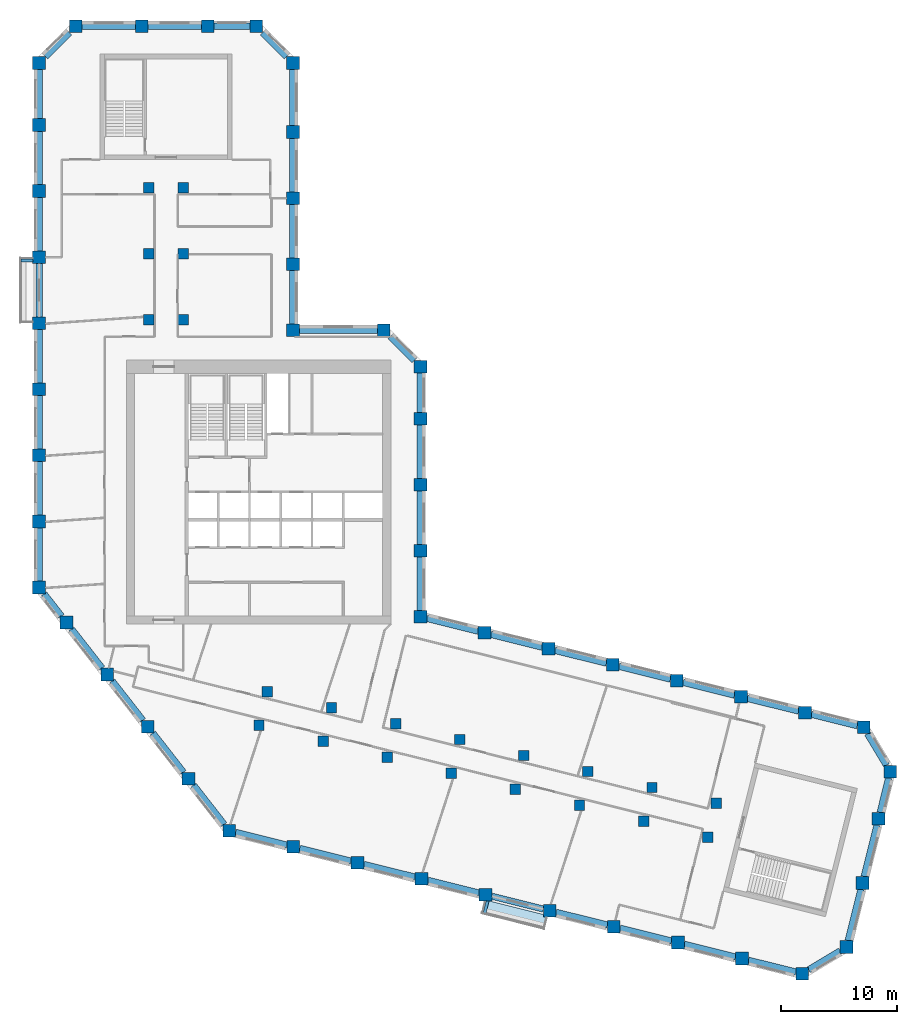
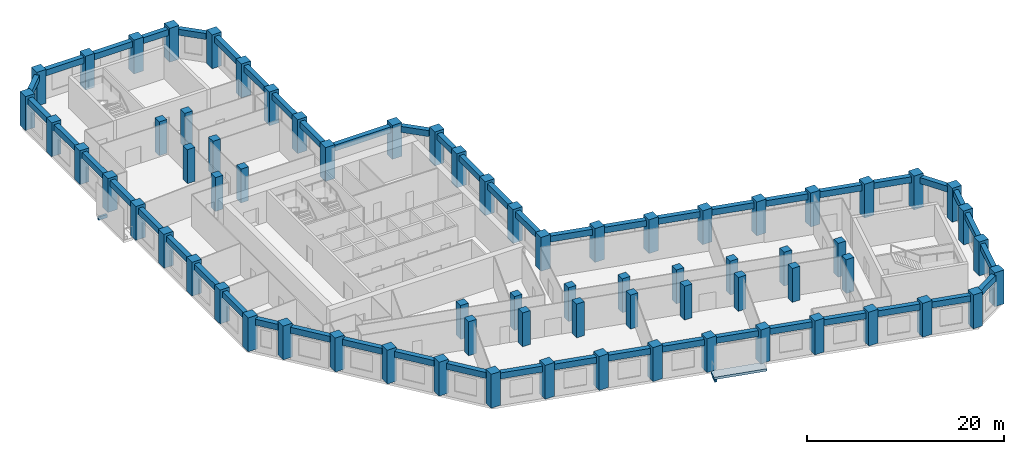
# One storey, part 1 of 10: 71 columns, 51 beams, 1 slab.
"""IFC4 building model written with IfcOpenShell, lengths in metres."""

from ifc_helpers import new_model, si_unit, direction, frame, origin, origin_2d, place, context, subcontext, project, spatial, polyline, rectangle, outline, extrude, material, layer, layer_set, material_profile, profile_set, type_object, element, save


model = new_model("IFC4")

# Units and contexts
model_context = context("Model", 3, precision=1e-05, world=origin(), true_north=direction((0.0, 1.0)))
body_context = subcontext(model_context, "Body", "Model", "MODEL_VIEW")
ifc_project = project(units=[si_unit("LENGTHUNIT", "METRE"), si_unit("AREAUNIT", "SQUARE_METRE"), si_unit("VOLUMEUNIT", "CUBIC_METRE"), si_unit("PLANEANGLEUNIT", "RADIAN"), si_unit("MASSUNIT", "GRAM", prefix="KILO")], contexts=[model_context])

# Site, building, storey
site_placement = place(None, origin())
site = spatial("IfcSite", under=ifc_project, at=site_placement, CompositionType="ELEMENT")
building_placement = place(site_placement, origin())
building = spatial("IfcBuilding", under=site, at=building_placement, Name="Meshkara Civic Tower", CompositionType="ELEMENT")
storey_placement = place(building_placement, frame((0.0, 0.0, 246.60009765625)))
storey = spatial("IfcBuildingStorey", under=building, at=storey_placement, Name="L56", CompositionType="ELEMENT", Elevation=246.60009765625)

# Columns
ifc_material_1 = material(Name="Concrete C60", Category="concrete")
ifc_material_profile_1 = material_profile(ifc_material_1, rectangle(XDim=0.89990234375, YDim=0.89990234375, at=origin_2d()))
ifc_profile_set_1 = profile_set([ifc_material_profile_1], Name="Concrete C60")
column_type_1 = type_object("IfcColumnType", Name="Interior column RC 900x900 C60", PredefinedType="COLUMN", material=ifc_profile_set_1)
for number, where, z_axis, x_axis, name in (
    (1, (9.89990234375, 40.35009765625, 0.0), (0.0, 0.0, 1.0), (1.0, 0.0, 0.0), "Column SA1-04 L56"),
    (2, (9.89990234375, 46.050048828125, 0.0), (0.0, 0.0, 1.0), (1.0, 0.0, 0.0), "Column SA1-05 L56"),
    (3, (9.89990234375, 51.75, 0.0), (0.0, 0.0, 1.0), (1.0, 0.0, 0.0), "Column SA1-06 L56"),
    (4, (12.89990234375, 40.35009765625, 0.0), (0.0, 0.0, 1.0), (1.0, 0.0, 0.0), "Column SA2-04 L56"),
    (5, (12.89990234375, 46.050048828125, 0.0), (0.0, 0.0, 1.0), (1.0, 0.0, 0.0), "Column SA2-05 L56"),
    (6, (12.89990234375, 51.75, 0.0), (0.0, 0.0, 1.0), (1.0, 0.0, 0.0), "Column SA2-06 L56"),
    (7, (19.424072265625, 5.360107421875, 0.0), (0.0, 0.0, 1.0), (1.0, 0.0, 0.0), "Column SB1-00 L56"),
    (8, (24.9541015625, 3.98095703125, 0.0), (0.0, 0.0, 1.0), (1.0, 0.0, 0.0), "Column SB1-01 L56"),
    (9, (30.485107421875, 2.60205078125, 0.0), (0.0, 0.0, 1.0), (1.0, 0.0, 0.0), "Column SB1-02 L56"),
    (10, (36.01611328125, 1.222900390625, 0.0), (0.0, 0.0, 1.0), (1.0, 0.0, 0.0), "Column SB1-03 L56"),
    (11, (41.5458984375, -0.156005859375, 0.0), (0.0, 0.0, 1.0), (1.0, 0.0, 0.0), "Column SB1-04 L56"),
    (12, (47.076904296875, -1.534912109375, 0.0), (0.0, 0.0, 1.0), (1.0, 0.0, 0.0), "Column SB1-05 L56"),
    (13, (52.60791015625, -2.9140625, 0.0), (0.0, 0.0, 1.0), (1.0, 0.0, 0.0), "Column SB1-06 L56"),
    (14, (58.138916015625, -4.2919921875, 0.0), (0.0, 0.0, 1.0), (1.0, 0.0, 0.0), "Column SB1-07 L56"),
    (15, (20.14892578125, 8.27099609375, 0.0), (0.0, 0.0, 1.0), (1.0, 0.0, 0.0), "Column SB2-00 L56"),
    (16, (25.679931640625, 6.89208984375, 0.0), (0.0, 0.0, 1.0), (1.0, 0.0, 0.0), "Column SB2-01 L56"),
    (17, (31.2109375, 5.512939453125, 0.0), (0.0, 0.0, 1.0), (1.0, 0.0, 0.0), "Column SB2-02 L56"),
    (18, (36.741943359375, 4.134033203125, 0.0), (0.0, 0.0, 1.0), (1.0, 0.0, 0.0), "Column SB2-03 L56"),
    (19, (42.27197265625, 2.7548828125, 0.0), (0.0, 0.0, 1.0), (1.0, 0.0, 0.0), "Column SB2-04 L56"),
    (20, (47.802978515625, 1.3759765625, 0.0), (0.0, 0.0, 1.0), (1.0, 0.0, 0.0), "Column SB2-05 L56"),
    (21, (53.333984375, -0.0029296875, 0.0), (0.0, 0.0, 1.0), (1.0, 0.0, 0.0), "Column SB2-06 L56"),
    (22, (58.864013671875, -1.382080078125, 0.0), (0.0, 0.0, 1.0), (1.0, 0.0, 0.0), "Column SB2-07 L56"),
):
    element("IfcColumn", number, at=place(storey_placement, frame(where, z_axis=z_axis, x_axis=x_axis)), inside=storey, type_object=column_type_1, Name=name, PredefinedType="COLUMN", context=body_context, shape_type="SweptSolid", body=[
        extrude(rectangle(XDim=0.89990234375, YDim=0.89990234375, at=origin_2d()), origin(), (0.0, 0.0, 1.0), 4.199951171875),
    ])
ifc_material_2 = material(Name="Concrete C60", Category="concrete")
ifc_material_profile_2 = material_profile(ifc_material_2, rectangle(XDim=1.10009765625, YDim=1.10009765625, at=origin_2d()))
ifc_profile_set_2 = profile_set([ifc_material_profile_2], Name="Concrete C60")
column_type_2 = type_object("IfcColumnType", Name="Perimeter column RC 1100x1100 C60", PredefinedType="COLUMN", material=ifc_profile_set_2)
for number, where, z_axis, x_axis, name in (
    (23, (33.35009765625, 14.718994140625, 0.0), (0.0, 0.0, 1.0), (1.0, 0.0, 0.0), "Column HE00 L56"),
    (24, (33.35009765625, 20.4189453125, 0.0), (0.0, 0.0, 1.0), (1.0, 0.0, 0.0), "Column HE01 L56"),
    (25, (33.35009765625, 26.118896484375, 0.0), (0.0, 0.0, 1.0), (1.0, 0.0, 0.0), "Column HE02 L56"),
    (26, (33.35009765625, 31.819091796875, 0.0), (0.0, 0.0, 1.0), (1.0, 0.0, 0.0), "Column HE03 L56"),
    (27, (33.35009765625, 36.2939453125, 0.0), (0.0, 0.0, 1.0), (1.0, 0.0, 0.0), "Column HEE L56"),
    (28, (30.194091796875, 39.449951171875, 0.0), (0.0, 0.0, 1.0), (1.0, 0.0, 0.0), "Column HCeE L56"),
    (29, (22.35009765625, 39.449951171875, 0.0), (0.0, 0.0, 1.0), (1.0, 0.0, 0.0), "Column HN00 L56"),
    (30, (22.35009765625, 45.14990234375, 0.0), (0.0, 0.0, 1.0), (1.0, 0.0, 0.0), "Column AE01 L56"),
    (31, (22.35009765625, 50.85009765625, 0.0), (0.0, 0.0, 1.0), (1.0, 0.0, 0.0), "Column AE02 L56"),
    (32, (22.35009765625, 56.550048828125, 0.0), (0.0, 0.0, 1.0), (1.0, 0.0, 0.0), "Column AE03 L56"),
    (33, (22.35009765625, 62.513916015625, 0.0), (0.0, 0.0, 1.0), (1.0, 0.0, 0.0), "Column AEEP3 L56"),
    (34, (19.194091796875, 65.669921875, 0.0), (0.0, 0.0, 1.0), (1.0, 0.0, 0.0), "Column ATiEP3 L56"),
    (35, (3.60595703125, 65.669921875, 0.0), (0.0, 0.0, 1.0), (1.0, 0.0, 0.0), "Column AT00-P3 L56"),
    (36, (9.305908203125, 65.669921875, 0.0), (0.0, 0.0, 1.0), (1.0, 0.0, 0.0), "Column AT01-P3 L56"),
    (37, (15.006103515625, 65.669921875, 0.0), (0.0, 0.0, 1.0), (1.0, 0.0, 0.0), "Column AT02-P3 L56"),
    (38, (0.449951171875, 62.513916015625, 0.0), (0.0, 0.0, 1.0), (1.0, 0.0, 0.0), "Column ATo00-P3 L56"),
    (39, (0.449951171875, 17.2548828125, 0.0), (0.0, 0.0, 1.0), (1.0, 0.0, 0.0), "Column AW00 L56"),
    (40, (0.449951171875, 22.955078125, 0.0), (0.0, 0.0, 1.0), (1.0, 0.0, 0.0), "Column AW01 L56"),
    (41, (0.449951171875, 28.655029296875, 0.0), (0.0, 0.0, 1.0), (1.0, 0.0, 0.0), "Column AW02 L56"),
    (42, (0.449951171875, 34.35498046875, 0.0), (0.0, 0.0, 1.0), (1.0, 0.0, 0.0), "Column AW03 L56"),
    (43, (0.449951171875, 40.054931640625, 0.0), (0.0, 0.0, 1.0), (1.0, 0.0, 0.0), "Column AW04 L56"),
    (44, (0.449951171875, 45.7548828125, 0.0), (0.0, 0.0, 1.0), (1.0, 0.0, 0.0), "Column AW05 L56"),
    (45, (0.449951171875, 51.455078125, 0.0), (0.0, 0.0, 1.0), (1.0, 0.0, 0.0), "Column AW06 L56"),
    (46, (0.449951171875, 57.155029296875, 0.0), (0.0, 0.0, 1.0), (1.0, 0.0, 0.0), "Column AW07 L56"),
    (47, (16.85107421875, -3.738037109375, 0.0), (0.0, 0.0, 1.0), (1.0, 0.0, 0.0), "Column BOW00 L56"),
    (48, (13.342041015625, 0.75390625, 0.0), (0.0, 0.0, 1.0), (1.0, 0.0, 0.0), "Column BOW01 L56"),
    (49, (9.8330078125, 5.2451171875, 0.0), (0.0, 0.0, 1.0), (1.0, 0.0, 0.0), "Column BOW02 L56"),
    (50, (6.322998046875, 9.737060546875, 0.0), (0.0, 0.0, 1.0), (1.0, 0.0, 0.0), "Column BOW03 L56"),
    (51, (2.81396484375, 14.22900390625, 0.0), (0.0, 0.0, 1.0), (1.0, 0.0, 0.0), "Column BOW04 L56"),
    (52, (22.382080078125, -5.116943359375, 0.0), (0.0, 0.0, 1.0), (1.0, 0.0, 0.0), "Column BS01 L56"),
    (53, (27.912109375, -6.49609375, 0.0), (0.0, 0.0, 1.0), (1.0, 0.0, 0.0), "Column BS02 L56"),
    (54, (33.443115234375, -7.875, 0.0), (0.0, 0.0, 1.0), (1.0, 0.0, 0.0), "Column BS03 L56"),
    (55, (38.97412109375, -9.2529296875, 0.0), (0.0, 0.0, 1.0), (1.0, 0.0, 0.0), "Column BS04-P1 L56"),
    (56, (44.5048828125, -10.632080078125, 0.0), (0.0, 0.0, 1.0), (1.0, 0.0, 0.0), "Column BS05 L56"),
    (57, (50.034912109375, -12.010986328125, 0.0), (0.0, 0.0, 1.0), (1.0, 0.0, 0.0), "Column BS06 L56"),
    (58, (55.56591796875, -13.389892578125, 0.0), (0.0, 0.0, 1.0), (1.0, 0.0, 0.0), "Column BS07 L56"),
    (59, (61.096923828125, -14.76904296875, 0.0), (0.0, 0.0, 1.0), (1.0, 0.0, 0.0), "Column BS08 L56"),
    (60, (66.2958984375, -16.06494140625, 0.0), (0.0, 0.0, 1.0), (1.0, 0.0, 0.0), "Column BSEP3 L56"),
    (61, (70.1220703125, -13.76611328125, 0.0), (0.0, 0.0, 1.0), (1.0, 0.0, 0.0), "Column BToEP3 L56"),
    (62, (71.5009765625, -8.235107421875, 0.0), (0.0, 0.0, 1.0), (1.0, 0.0, 0.0), "Column BT01-P3 L56"),
    (63, (72.8798828125, -2.705078125, 0.0), (0.0, 0.0, 1.0), (1.0, 0.0, 0.0), "Column BT02-P3 L56"),
    (64, (73.89306640625, 1.35791015625, 0.0), (0.0, 0.0, 1.0), (1.0, 0.0, 0.0), "Column BTEP3 L56"),
    (65, (71.593994140625, 5.18310546875, 0.0), (0.0, 0.0, 1.0), (1.0, 0.0, 0.0), "Column BTi00-P3 L56"),
    (66, (38.881103515625, 13.340087890625, 0.0), (0.0, 0.0, 1.0), (1.0, 0.0, 0.0), "Column BN01 L56"),
    (67, (44.410888671875, 11.9609375, 0.0), (0.0, 0.0, 1.0), (1.0, 0.0, 0.0), "Column BN02 L56"),
    (68, (49.94189453125, 10.58203125, 0.0), (0.0, 0.0, 1.0), (1.0, 0.0, 0.0), "Column BN03 L56"),
    (69, (55.472900390625, 9.202880859375, 0.0), (0.0, 0.0, 1.0), (1.0, 0.0, 0.0), "Column BN04 L56"),
    (70, (61.0029296875, 7.823974609375, 0.0), (0.0, 0.0, 1.0), (1.0, 0.0, 0.0), "Column BN05 L56"),
    (71, (66.533935546875, 6.445068359375, 0.0), (0.0, 0.0, 1.0), (1.0, 0.0, 0.0), "Column BN06 L56"),
):
    element("IfcColumn", number, at=place(storey_placement, frame(where, z_axis=z_axis, x_axis=x_axis)), inside=storey, type_object=column_type_2, Name=name, PredefinedType="COLUMN", context=body_context, shape_type="SweptSolid", body=[
        extrude(rectangle(XDim=1.10009765625, YDim=1.10009765625, at=origin_2d()), origin(), (0.0, 0.0, 1.0), 4.199951171875),
    ])

# Beams
ifc_material_3 = material(Name="Concrete C50", Category="concrete")
ifc_material_profile_3 = material_profile(ifc_material_3, rectangle(XDim=0.25, YDim=0.39990234375, at=origin_2d()))
ifc_profile_set_3 = profile_set([ifc_material_profile_3], Name="Concrete C50")
beam_type_1 = type_object("IfcBeamType", Name="Balcony bracket beam RC 250x400 C50", PredefinedType="BEAM", material=ifc_profile_set_3)
beam_1_placement = place(storey_placement, frame((-0.094970703125, 45.455078125, -0.5), z_axis=(-1.0, 0.0, 0.0), x_axis=(0.0, -1.0, 0.0)))
element("IfcBeam", 72, at=beam_1_placement, inside=storey, type_object=beam_type_1, Name="Balcony bracket beam", PredefinedType="BEAM", context=body_context, shape_type="SweptSolid", body=[
    extrude(rectangle(XDim=0.25, YDim=0.39990234375, at=origin_2d()), origin(), (0.0, 0.0, 1.0), 1.005126953125),
])
beam_2_placement = place(storey_placement, frame((39.14697265625, -9.798095703125, -0.5), z_axis=(-0.241725333206, -0.970344713639, 0.0), x_axis=(0.970344713639, -0.241725333206, 0.0)))
element("IfcBeam", 73, at=beam_2_placement, inside=storey, type_object=beam_type_1, Name="Balcony bracket beam", PredefinedType="BEAM", context=body_context, shape_type="SweptSolid", body=[
    extrude(rectangle(XDim=0.25, YDim=0.39990234375, at=origin_2d()), origin(), (0.0, 0.0, 1.0), 1.0634765625),
])
ifc_material_4 = material(Name="Concrete C60", Category="concrete")
ifc_material_profile_4 = material_profile(ifc_material_4, rectangle(XDim=0.550048828125, YDim=0.75, at=origin_2d()))
ifc_profile_set_4 = profile_set([ifc_material_profile_4], Name="Concrete C60")
beam_type_2 = type_object("IfcBeamType", Name="Spandrel beam RC 550x750 C60", PredefinedType="BEAM", material=ifc_profile_set_4)
beam_3_placement = place(storey_placement, frame((65.989013671875, 6.580810546875, 3.52490234375), z_axis=(-0.970299186733, 0.241908016044, 0.0), x_axis=(-0.241908016044, -0.970299186733, 0.0)))
element("IfcBeam", 74, at=beam_3_placement, inside=storey, type_object=beam_type_2, Name="Spandrel beam BN05-BN06", PredefinedType="BEAM", context=body_context, shape_type="SweptSolid", body=[
    extrude(rectangle(XDim=0.550048828125, YDim=0.75, at=origin_2d()), origin(), (0.0, 0.0, 1.0), 4.576904296875),
])
beam_4_placement = place(storey_placement, frame((60.4580078125, 7.9599609375, 3.52490234375), z_axis=(-0.970286696562, 0.241958108925, 0.0), x_axis=(-0.241958108925, -0.970286696562, 0.0)))
element("IfcBeam", 75, at=beam_4_placement, inside=storey, type_object=beam_type_2, Name="Spandrel beam BN04-BN05", PredefinedType="BEAM", context=body_context, shape_type="SweptSolid", body=[
    extrude(rectangle(XDim=0.550048828125, YDim=0.75, at=origin_2d()), origin(), (0.0, 0.0, 1.0), 4.575927734375),
])
for number, where, z_axis, x_axis, name in (
    (76, (54.927978515625, 9.3388671875, 3.52490234375), (-0.970299186733, 0.241908016044, 0.0), (-0.241908016044, -0.970299186733, 0.0), "Spandrel beam BN03-BN04"),
    (77, (49.39697265625, 10.718017578125, 3.52490234375), (-0.970299186733, 0.241908016044, 0.0), (-0.241908016044, -0.970299186733, 0.0), "Spandrel beam BN02-BN03"),
):
    element("IfcBeam", number, at=place(storey_placement, frame(where, z_axis=z_axis, x_axis=x_axis)), inside=storey, type_object=beam_type_2, Name=name, PredefinedType="BEAM", context=body_context, shape_type="SweptSolid", body=[
        extrude(rectangle(XDim=0.550048828125, YDim=0.75, at=origin_2d()), origin(), (0.0, 0.0, 1.0), 4.576904296875),
    ])
beam_5_placement = place(storey_placement, frame((43.865966796875, 12.096923828125, 3.52490234375), z_axis=(-0.970286696562, 0.241958108925, 0.0), x_axis=(-0.241958108925, -0.970286696562, 0.0)))
element("IfcBeam", 78, at=beam_5_placement, inside=storey, type_object=beam_type_2, Name="Spandrel beam BN01-BN02", PredefinedType="BEAM", context=body_context, shape_type="SweptSolid", body=[
    extrude(rectangle(XDim=0.550048828125, YDim=0.75, at=origin_2d()), origin(), (0.0, 0.0, 1.0), 4.575927734375),
])
beam_6_placement = place(storey_placement, frame((38.3359375, 13.475830078125, 3.52490234375), z_axis=(-0.970299186733, 0.241908016044, 0.0), x_axis=(-0.241908016044, -0.970299186733, 0.0)))
element("IfcBeam", 79, at=beam_6_placement, inside=storey, type_object=beam_type_2, Name="Spandrel beam BN01-HE00", PredefinedType="BEAM", context=body_context, shape_type="SweptSolid", body=[
    extrude(rectangle(XDim=0.550048828125, YDim=0.75, at=origin_2d()), origin(), (0.0, 0.0, 1.0), 4.576904296875),
])
beam_7_placement = place(storey_placement, frame((33.35009765625, 15.263916015625, 3.52490234375), z_axis=(0.0, 1.0, 0.0), x_axis=(-1.0, 0.0, 0.0)))
element("IfcBeam", 80, at=beam_7_placement, inside=storey, type_object=beam_type_2, Name="Spandrel beam HE00-HE01", PredefinedType="BEAM", context=body_context, shape_type="SweptSolid", body=[
    extrude(rectangle(XDim=0.550048828125, YDim=0.75, at=origin_2d()), origin(), (0.0, 0.0, 1.0), 4.610107421875),
])
for number, where, z_axis, x_axis, name in (
    (81, (33.35009765625, 20.964111328125, 3.52490234375), (0.0, 1.0, 0.0), (-1.0, 0.0, 0.0), "Spandrel beam HE01-HE02"),
    (82, (33.35009765625, 26.6640625, 3.52490234375), (0.0, 1.0, 0.0), (-1.0, 0.0, 0.0), "Spandrel beam HE02-HE03"),
):
    element("IfcBeam", number, at=place(storey_placement, frame(where, z_axis=z_axis, x_axis=x_axis)), inside=storey, type_object=beam_type_2, Name=name, PredefinedType="BEAM", context=body_context, shape_type="SweptSolid", body=[
        extrude(rectangle(XDim=0.550048828125, YDim=0.75, at=origin_2d()), origin(), (0.0, 0.0, 1.0), 4.60986328125),
    ])
beam_8_placement = place(storey_placement, frame((33.35009765625, 32.364013671875, 3.52490234375), z_axis=(0.0, 1.0, 0.0), x_axis=(-1.0, 0.0, 0.0)))
element("IfcBeam", 83, at=beam_8_placement, inside=storey, type_object=beam_type_2, Name="Spandrel beam HE03-HEE", PredefinedType="BEAM", context=body_context, shape_type="SweptSolid", body=[
    extrude(rectangle(XDim=0.550048828125, YDim=0.75, at=origin_2d()), origin(), (0.0, 0.0, 1.0), 3.385009765625),
])
beam_9_placement = place(storey_placement, frame((32.803466796875, 36.840576171875, 3.52490234375), z_axis=(-0.707106781187, 0.707106781187, 0.0), x_axis=(-0.707106781187, -0.707106781187, 0.0)))
element("IfcBeam", 84, at=beam_9_placement, inside=storey, type_object=beam_type_2, Name="Spandrel beam HCeE-HEE", PredefinedType="BEAM", context=body_context, shape_type="SweptSolid", body=[
    extrude(rectangle(XDim=0.550048828125, YDim=0.75, at=origin_2d()), origin(), (0.0, 0.0, 1.0), 2.91748046875),
])
beam_10_placement = place(storey_placement, frame((29.64892578125, 39.449951171875, 3.52490234375), z_axis=(-1.0, 0.0, 0.0), x_axis=(0.0, -1.0, 0.0)))
element("IfcBeam", 85, at=beam_10_placement, inside=storey, type_object=beam_type_2, Name="Spandrel beam HCeE-HN00", PredefinedType="BEAM", context=body_context, shape_type="SweptSolid", body=[
    extrude(rectangle(XDim=0.550048828125, YDim=0.75, at=origin_2d()), origin(), (0.0, 0.0, 1.0), 6.75390625),
])
for number, where, z_axis, x_axis, name in (
    (86, (22.35009765625, 39.9951171875, 3.52490234375), (0.0, 1.0, 0.0), (-1.0, 0.0, 0.0), "Spandrel beam AE01-HN00"),
    (87, (22.35009765625, 45.695068359375, 3.52490234375), (0.0, 1.0, 0.0), (-1.0, 0.0, 0.0), "Spandrel beam AE01-AE02"),
    (88, (22.35009765625, 51.39501953125, 3.52490234375), (0.0, 1.0, 0.0), (-1.0, 0.0, 0.0), "Spandrel beam AE02-AE03"),
):
    element("IfcBeam", number, at=place(storey_placement, frame(where, z_axis=z_axis, x_axis=x_axis)), inside=storey, type_object=beam_type_2, Name=name, PredefinedType="BEAM", context=body_context, shape_type="SweptSolid", body=[
        extrude(rectangle(XDim=0.550048828125, YDim=0.75, at=origin_2d()), origin(), (0.0, 0.0, 1.0), 4.60986328125),
    ])
beam_11_placement = place(storey_placement, frame((22.35009765625, 57.094970703125, 3.52490234375), z_axis=(0.0, 1.0, 0.0), x_axis=(-1.0, 0.0, 0.0)))
element("IfcBeam", 89, at=beam_11_placement, inside=storey, type_object=beam_type_2, Name="Spandrel beam AE03-AEEP3", PredefinedType="BEAM", context=body_context, shape_type="SweptSolid", body=[
    extrude(rectangle(XDim=0.550048828125, YDim=0.75, at=origin_2d()), origin(), (0.0, 0.0, 1.0), 4.8740234375),
])
beam_12_placement = place(storey_placement, frame((21.803466796875, 63.060546875, 3.52490234375), z_axis=(-0.707106781187, 0.707106781187, 0.0), x_axis=(-0.707106781187, -0.707106781187, 0.0)))
element("IfcBeam", 90, at=beam_12_placement, inside=storey, type_object=beam_type_2, Name="Spandrel beam AEEP3-ATiEP3", PredefinedType="BEAM", context=body_context, shape_type="SweptSolid", body=[
    extrude(rectangle(XDim=0.550048828125, YDim=0.75, at=origin_2d()), origin(), (0.0, 0.0, 1.0), 2.91748046875),
])
beam_13_placement = place(storey_placement, frame((18.64892578125, 65.669921875, 3.52490234375), z_axis=(-1.0, 0.0, 0.0), x_axis=(0.0, -1.0, 0.0)))
element("IfcBeam", 91, at=beam_13_placement, inside=storey, type_object=beam_type_2, Name="Spandrel beam AT02-P3-ATiEP3", PredefinedType="BEAM", context=body_context, shape_type="SweptSolid", body=[
    extrude(rectangle(XDim=0.550048828125, YDim=0.75, at=origin_2d()), origin(), (0.0, 0.0, 1.0), 3.097900390625),
])
beam_14_placement = place(storey_placement, frame((14.4609375, 65.669921875, 3.52490234375), z_axis=(-1.0, 0.0, 0.0), x_axis=(0.0, -1.0, 0.0)))
element("IfcBeam", 92, at=beam_14_placement, inside=storey, type_object=beam_type_2, Name="Spandrel beam AT01-P3-AT02-P3", PredefinedType="BEAM", context=body_context, shape_type="SweptSolid", body=[
    extrude(rectangle(XDim=0.550048828125, YDim=0.75, at=origin_2d()), origin(), (0.0, 0.0, 1.0), 4.60986328125),
])
beam_15_placement = place(storey_placement, frame((8.760986328125, 65.669921875, 3.52490234375), z_axis=(-1.0, 0.0, 0.0), x_axis=(0.0, -1.0, 0.0)))
element("IfcBeam", 93, at=beam_15_placement, inside=storey, type_object=beam_type_2, Name="Spandrel beam AT00-P3-AT01-P3", PredefinedType="BEAM", context=body_context, shape_type="SweptSolid", body=[
    extrude(rectangle(XDim=0.550048828125, YDim=0.75, at=origin_2d()), origin(), (0.0, 0.0, 1.0), 4.610107421875),
])
beam_16_placement = place(storey_placement, frame((3.0595703125, 65.12353515625, 3.52490234375), z_axis=(-0.707106781187, -0.707106781187, 0.0), x_axis=(0.707106781187, -0.707106781187, 0.0)))
element("IfcBeam", 94, at=beam_16_placement, inside=storey, type_object=beam_type_2, Name="Spandrel beam AT00-P3-ATo00-P3", PredefinedType="BEAM", context=body_context, shape_type="SweptSolid", body=[
    extrude(rectangle(XDim=0.550048828125, YDim=0.75, at=origin_2d()), origin(), (0.0, 0.0, 1.0), 2.91748046875),
])
beam_17_placement = place(storey_placement, frame((0.449951171875, 61.968994140625, 3.52490234375), z_axis=(0.0, -1.0, 0.0), x_axis=(1.0, 0.0, 0.0)))
element("IfcBeam", 95, at=beam_17_placement, inside=storey, type_object=beam_type_2, Name="Spandrel beam ATo00-P3-AW07", PredefinedType="BEAM", context=body_context, shape_type="SweptSolid", body=[
    extrude(rectangle(XDim=0.550048828125, YDim=0.75, at=origin_2d()), origin(), (0.0, 0.0, 1.0), 4.26904296875),
])
beam_18_placement = place(storey_placement, frame((0.449951171875, 56.610107421875, 3.52490234375), z_axis=(0.0, -1.0, 0.0), x_axis=(1.0, 0.0, 0.0)))
element("IfcBeam", 96, at=beam_18_placement, inside=storey, type_object=beam_type_2, Name="Spandrel beam AW06-AW07", PredefinedType="BEAM", context=body_context, shape_type="SweptSolid", body=[
    extrude(rectangle(XDim=0.550048828125, YDim=0.75, at=origin_2d()), origin(), (0.0, 0.0, 1.0), 4.610107421875),
])
for number, where, z_axis, x_axis, name in (
    (97, (0.449951171875, 50.909912109375, 3.52490234375), (0.0, -1.0, 0.0), (1.0, 0.0, 0.0), "Spandrel beam AW05-AW06"),
    (98, (0.449951171875, 45.2099609375, 3.52490234375), (0.0, -1.0, 0.0), (1.0, 0.0, 0.0), "Spandrel beam AW04-AW05"),
):
    element("IfcBeam", number, at=place(storey_placement, frame(where, z_axis=z_axis, x_axis=x_axis)), inside=storey, type_object=beam_type_2, Name=name, PredefinedType="BEAM", context=body_context, shape_type="SweptSolid", body=[
        extrude(rectangle(XDim=0.550048828125, YDim=0.75, at=origin_2d()), origin(), (0.0, 0.0, 1.0), 4.60986328125),
    ])
for number, where, z_axis, x_axis, name in (
    (99, (0.449951171875, 39.510009765625, 3.52490234375), (0.0, -1.0, 0.0), (1.0, 0.0, 0.0), "Spandrel beam AW03-AW04"),
    (100, (0.449951171875, 33.81005859375, 3.52490234375), (0.0, -1.0, 0.0), (1.0, 0.0, 0.0), "Spandrel beam AW02-AW03"),
    (101, (0.449951171875, 28.110107421875, 3.52490234375), (0.0, -1.0, 0.0), (1.0, 0.0, 0.0), "Spandrel beam AW01-AW02"),
):
    element("IfcBeam", number, at=place(storey_placement, frame(where, z_axis=z_axis, x_axis=x_axis)), inside=storey, type_object=beam_type_2, Name=name, PredefinedType="BEAM", context=body_context, shape_type="SweptSolid", body=[
        extrude(rectangle(XDim=0.550048828125, YDim=0.75, at=origin_2d()), origin(), (0.0, 0.0, 1.0), 4.610107421875),
    ])
beam_19_placement = place(storey_placement, frame((0.449951171875, 22.409912109375, 3.52490234375), z_axis=(0.0, -1.0, 0.0), x_axis=(1.0, 0.0, 0.0)))
element("IfcBeam", 102, at=beam_19_placement, inside=storey, type_object=beam_type_2, Name="Spandrel beam AW00-AW01", PredefinedType="BEAM", context=body_context, shape_type="SweptSolid", body=[
    extrude(rectangle(XDim=0.550048828125, YDim=0.75, at=origin_2d()), origin(), (0.0, 0.0, 1.0), 4.60986328125),
])
beam_20_placement = place(storey_placement, frame((0.876708984375, 16.708984375, 3.52490234375), z_axis=(0.615626666257, -0.788037948194, 0.0), x_axis=(0.788037948194, 0.615626666257, 0.0)))
element("IfcBeam", 103, at=beam_20_placement, inside=storey, type_object=beam_type_2, Name="Spandrel beam AW00-BOW04", PredefinedType="BEAM", context=body_context, shape_type="SweptSolid", body=[
    extrude(rectangle(XDim=0.550048828125, YDim=0.75, at=origin_2d()), origin(), (0.0, 0.0, 1.0), 2.4541015625),
])
beam_21_placement = place(storey_placement, frame((3.240478515625, 13.682861328125, 3.52490234375), z_axis=(0.615647336498, -0.788021799865, 0.0), x_axis=(0.788021799865, 0.615647336498, 0.0)))
element("IfcBeam", 104, at=beam_21_placement, inside=storey, type_object=beam_type_2, Name="Spandrel beam BOW03-BOW04", PredefinedType="BEAM", context=body_context, shape_type="SweptSolid", body=[
    extrude(rectangle(XDim=0.550048828125, YDim=0.75, at=origin_2d()), origin(), (0.0, 0.0, 1.0), 4.314208984375),
])
beam_22_placement = place(storey_placement, frame((6.749755859375, 9.19091796875, 3.52490234375), z_axis=(0.615690159083, -0.787988342559, 0.0), x_axis=(0.787988342559, 0.615690159083, 0.0)))
element("IfcBeam", 105, at=beam_22_placement, inside=storey, type_object=beam_type_2, Name="Spandrel beam BOW02-BOW03", PredefinedType="BEAM", context=body_context, shape_type="SweptSolid", body=[
    extrude(rectangle(XDim=0.550048828125, YDim=0.75, at=origin_2d()), origin(), (0.0, 0.0, 1.0), 4.314697265625),
])
beam_23_placement = place(storey_placement, frame((10.259765625, 4.698974609375, 3.52490234375), z_axis=(0.615659419462, -0.788012359819, 0.0), x_axis=(0.788012359819, 0.615659419462, 0.0)))
element("IfcBeam", 106, at=beam_23_placement, inside=storey, type_object=beam_type_2, Name="Spandrel beam BOW01-BOW02", PredefinedType="BEAM", context=body_context, shape_type="SweptSolid", body=[
    extrude(rectangle(XDim=0.550048828125, YDim=0.75, at=origin_2d()), origin(), (0.0, 0.0, 1.0), 4.313232421875),
])
beam_24_placement = place(storey_placement, frame((13.7685546875, 0.2080078125, 3.52490234375), z_axis=(0.615584739249, -0.788070700384, 0.0), x_axis=(0.788070700384, 0.615584739249, 0.0)))
element("IfcBeam", 107, at=beam_24_placement, inside=storey, type_object=beam_type_2, Name="Spandrel beam BOW00-BOW01", PredefinedType="BEAM", context=body_context, shape_type="SweptSolid", body=[
    extrude(rectangle(XDim=0.550048828125, YDim=0.75, at=origin_2d()), origin(), (0.0, 0.0, 1.0), 4.314208984375),
])
beam_25_placement = place(storey_placement, frame((17.39599609375, -3.873779296875, 3.52490234375), z_axis=(0.970286664886, -0.24195823595, 0.0), x_axis=(0.24195823595, 0.970286664886, 0.0)))
element("IfcBeam", 108, at=beam_25_placement, inside=storey, type_object=beam_type_2, Name="Spandrel beam BOW00-BS01", PredefinedType="BEAM", context=body_context, shape_type="SweptSolid", body=[
    extrude(rectangle(XDim=0.550048828125, YDim=0.75, at=origin_2d()), origin(), (0.0, 0.0, 1.0), 4.576904296875),
])
beam_26_placement = place(storey_placement, frame((22.927001953125, -5.2529296875, 3.52490234375), z_axis=(0.970286696562, -0.241958108925, 0.0), x_axis=(0.241958108925, 0.970286696562, 0.0)))
element("IfcBeam", 109, at=beam_26_placement, inside=storey, type_object=beam_type_2, Name="Spandrel beam BS01-BS02", PredefinedType="BEAM", context=body_context, shape_type="SweptSolid", body=[
    extrude(rectangle(XDim=0.550048828125, YDim=0.75, at=origin_2d()), origin(), (0.0, 0.0, 1.0), 4.575927734375),
])
beam_27_placement = place(storey_placement, frame((28.45703125, -6.6318359375, 3.52490234375), z_axis=(0.970299186733, -0.241908016044, 0.0), x_axis=(0.241908016044, 0.970299186733, 0.0)))
element("IfcBeam", 110, at=beam_27_placement, inside=storey, type_object=beam_type_2, Name="Spandrel beam BS02-BS03", PredefinedType="BEAM", context=body_context, shape_type="SweptSolid", body=[
    extrude(rectangle(XDim=0.550048828125, YDim=0.75, at=origin_2d()), origin(), (0.0, 0.0, 1.0), 4.576904296875),
])
beam_28_placement = place(storey_placement, frame((33.988037109375, -8.0107421875, 3.52490234375), z_axis=(0.970336738613, -0.241757344662, 0.0), x_axis=(0.241757344662, 0.970336738613, 0.0)))
element("IfcBeam", 111, at=beam_28_placement, inside=storey, type_object=beam_type_2, Name="Spandrel beam BS03-BS04-P1", PredefinedType="BEAM", context=body_context, shape_type="SweptSolid", body=[
    extrude(rectangle(XDim=0.550048828125, YDim=0.75, at=origin_2d()), origin(), (0.0, 0.0, 1.0), 4.57666015625),
])
beam_29_placement = place(storey_placement, frame((39.51904296875, -9.388916015625, 3.52490234375), z_axis=(0.970299186733, -0.241908016044, 0.0), x_axis=(0.241908016044, 0.970299186733, 0.0)))
element("IfcBeam", 112, at=beam_29_placement, inside=storey, type_object=beam_type_2, Name="Spandrel beam BS04-P1-BS05", PredefinedType="BEAM", context=body_context, shape_type="SweptSolid", body=[
    extrude(rectangle(XDim=0.550048828125, YDim=0.75, at=origin_2d()), origin(), (0.0, 0.0, 1.0), 4.576904296875),
])
beam_30_placement = place(storey_placement, frame((45.050048828125, -10.767822265625, 3.52490234375), z_axis=(0.970286696562, -0.241958108925, 0.0), x_axis=(0.241958108925, 0.970286696562, 0.0)))
element("IfcBeam", 113, at=beam_30_placement, inside=storey, type_object=beam_type_2, Name="Spandrel beam BS05-BS06", PredefinedType="BEAM", context=body_context, shape_type="SweptSolid", body=[
    extrude(rectangle(XDim=0.550048828125, YDim=0.75, at=origin_2d()), origin(), (0.0, 0.0, 1.0), 4.575927734375),
])
for number, where, z_axis, x_axis, name in (
    (114, (50.580078125, -12.14697265625, 3.52490234375), (0.970299186733, -0.241908016044, 0.0), (0.241908016044, 0.970299186733, 0.0), "Spandrel beam BS06-BS07"),
    (115, (56.111083984375, -13.52587890625, 3.52490234375), (0.970299186733, -0.241908016044, 0.0), (0.241908016044, 0.970299186733, 0.0), "Spandrel beam BS07-BS08"),
):
    element("IfcBeam", number, at=place(storey_placement, frame(where, z_axis=z_axis, x_axis=x_axis)), inside=storey, type_object=beam_type_2, Name=name, PredefinedType="BEAM", context=body_context, shape_type="SweptSolid", body=[
        extrude(rectangle(XDim=0.550048828125, YDim=0.75, at=origin_2d()), origin(), (0.0, 0.0, 1.0), 4.576904296875),
    ])
beam_31_placement = place(storey_placement, frame((61.64208984375, -14.90478515625, 3.52490234375), z_axis=(0.970298301424, -0.24191156701, 0.0), x_axis=(0.24191156701, 0.970298301424, 0.0)))
element("IfcBeam", 116, at=beam_31_placement, inside=storey, type_object=beam_type_2, Name="Spandrel beam BS08-BSEP3", PredefinedType="BEAM", context=body_context, shape_type="SweptSolid", body=[
    extrude(rectangle(XDim=0.550048828125, YDim=0.75, at=origin_2d()), origin(), (0.0, 0.0, 1.0), 4.234619140625),
])
beam_32_placement = place(storey_placement, frame((66.841796875, -15.737060546875, 3.52490234375), z_axis=(0.857175401914, 0.51502459199, 0.0), x_axis=(-0.51502459199, 0.857175401914, 0.0)))
element("IfcBeam", 117, at=beam_32_placement, inside=storey, type_object=beam_type_2, Name="Spandrel beam BSEP3-BToEP3", PredefinedType="BEAM", context=body_context, shape_type="SweptSolid", body=[
    extrude(rectangle(XDim=0.550048828125, YDim=0.75, at=origin_2d()), origin(), (0.0, 0.0, 1.0), 3.190185546875),
])
beam_33_placement = place(storey_placement, frame((70.2578125, -13.220947265625, 3.52490234375), z_axis=(0.241908016044, 0.970299186733, 0.0), x_axis=(-0.970299186733, 0.241908016044, 0.0)))
element("IfcBeam", 118, at=beam_33_placement, inside=storey, type_object=beam_type_2, Name="Spandrel beam BT01-P3-BToEP3", PredefinedType="BEAM", context=body_context, shape_type="SweptSolid", body=[
    extrude(rectangle(XDim=0.550048828125, YDim=0.75, at=origin_2d()), origin(), (0.0, 0.0, 1.0), 4.576904296875),
])
beam_34_placement = place(storey_placement, frame((71.636962890625, -7.68994140625, 3.52490234375), z_axis=(0.241958108925, 0.970286696562, 0.0), x_axis=(-0.970286696562, 0.241958108925, 0.0)))
element("IfcBeam", 119, at=beam_34_placement, inside=storey, type_object=beam_type_2, Name="Spandrel beam BT01-P3-BT02-P3", PredefinedType="BEAM", context=body_context, shape_type="SweptSolid", body=[
    extrude(rectangle(XDim=0.550048828125, YDim=0.75, at=origin_2d()), origin(), (0.0, 0.0, 1.0), 4.575927734375),
])
beam_35_placement = place(storey_placement, frame((73.015869140625, -2.159912109375, 3.52490234375), z_axis=(0.24191686251, 0.970296981152, 0.0), x_axis=(-0.970296981152, 0.24191686251, 0.0)))
element("IfcBeam", 120, at=beam_35_placement, inside=storey, type_object=beam_type_2, Name="Spandrel beam BT02-P3-BTEP3", PredefinedType="BEAM", context=body_context, shape_type="SweptSolid", body=[
    extrude(rectangle(XDim=0.550048828125, YDim=0.75, at=origin_2d()), origin(), (0.0, 0.0, 1.0), 3.06396484375),
])
beam_36_placement = place(storey_placement, frame((73.56494140625, 1.90380859375, 3.52490234375), z_axis=(-0.515137320802, 0.857107659934, 0.0), x_axis=(-0.857107659934, -0.515137320802, 0.0)))
element("IfcBeam", 121, at=beam_36_placement, inside=storey, type_object=beam_type_2, Name="Spandrel beam BTEP3-BTi00-P3", PredefinedType="BEAM", context=body_context, shape_type="SweptSolid", body=[
    extrude(rectangle(XDim=0.550048828125, YDim=0.75, at=origin_2d()), origin(), (0.0, 0.0, 1.0), 3.189208984375),
])
beam_37_placement = place(storey_placement, frame((71.048828125, 5.319091796875, 3.52490234375), z_axis=(-0.970282744603, 0.241973956296, 0.0), x_axis=(-0.241973956296, -0.970282744603, 0.0)))
element("IfcBeam", 122, at=beam_37_placement, inside=storey, type_object=beam_type_2, Name="Spandrel beam BN06-BTi00-P3", PredefinedType="BEAM", context=body_context, shape_type="SweptSolid", body=[
    extrude(rectangle(XDim=0.550048828125, YDim=0.75, at=origin_2d()), origin(), (0.0, 0.0, 1.0), 4.09130859375),
])

# Slab
ifc_material_5 = material(Name="Concrete C40", Category="concrete")
ifc_layer = layer(ifc_material_5, 0.300048828125)
ifc_layer_set = layer_set([ifc_layer], Name="BALCONY SLAB")
slab_type = type_object("IfcSlabType", Name="BALCONY SLAB", PredefinedType="FLOOR", material=ifc_layer_set)
slab_placement = place(storey_placement, frame((0.0, 0.0, -0.300048828125)))
element("IfcSlab", 123, at=slab_placement, inside=storey, type_object=slab_type, Name="Balcony slab", PredefinedType="FLOOR", context=body_context, shape_type="SweptSolid", body=[
    extrude(outline(polyline([(44.048095703125, -12.218994140625), (38.633056640625, -10.868896484375), (38.89892578125, -9.802978515625), (39.318115234375, -9.802978515625), (43.955078125, -10.958984375), (43.955078125, -11.181884765625), (44.305908203125, -11.181884765625), (44.048095703125, -12.218994140625)])), origin(), (0.0, 0.0, 1.0), 0.300048828125),
])

save(model, "model.ifc")
